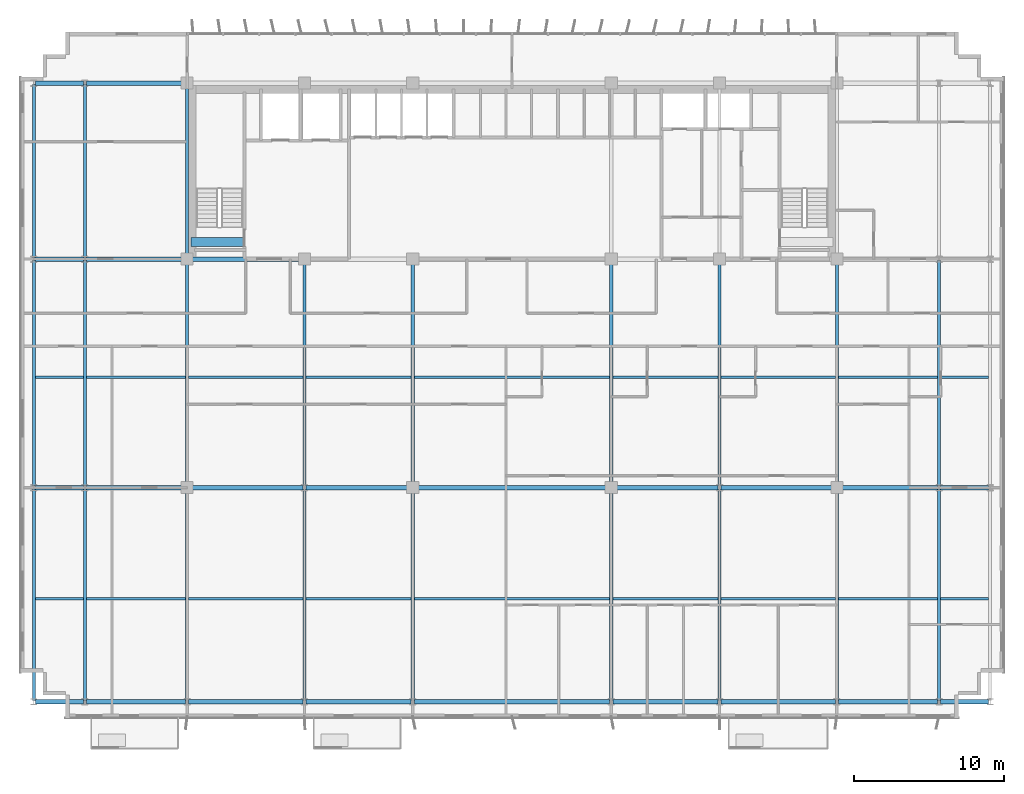
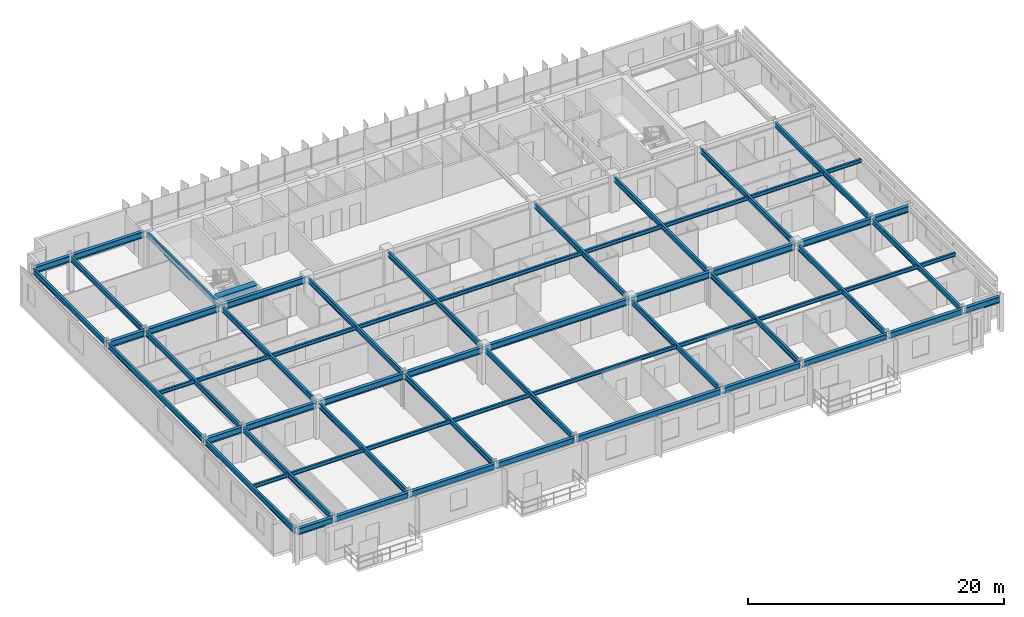
# One storey, part 4 of 22: 63 beams.
"""IFC4 building model written with IfcOpenShell, lengths in metres."""

from ifc_helpers import new_model, si_unit, direction, frame, origin, origin_2d, place, context, subcontext, project, spatial, rectangle, i_section, extrude, source, transform, mapped, material, material_profile, profile_set, type_object, element, save


model = new_model("IFC4")

# Units and contexts
model_context = context("Model", 3, precision=1e-05, world=origin(), true_north=direction((0.0, 1.0)))
body_context = subcontext(model_context, "Body", "Model", "MODEL_VIEW")
ifc_project = project(units=[si_unit("LENGTHUNIT", "METRE"), si_unit("AREAUNIT", "SQUARE_METRE"), si_unit("VOLUMEUNIT", "CUBIC_METRE"), si_unit("PLANEANGLEUNIT", "RADIAN"), si_unit("MASSUNIT", "GRAM", prefix="KILO")], contexts=[model_context])

# Site, building, storey
site_placement = place(None, origin())
site = spatial("IfcSite", under=ifc_project, at=site_placement, CompositionType="ELEMENT")
building_placement = place(site_placement, origin())
building = spatial("IfcBuilding", under=site, at=building_placement, Name="Trelvane Seafront Commons", CompositionType="ELEMENT")
storey_placement = place(building_placement, frame((0.0, 0.0, 85.300048828125)))
storey = spatial("IfcBuildingStorey", under=building, at=storey_placement, Name="L21", CompositionType="ELEMENT", Elevation=85.300048828125)

# Beams
ifc_material_1 = material(Name="Concrete C60/75", Category="concrete")
ifc_material_profile_1 = material_profile(ifc_material_1, rectangle(XDim=0.60009765625, YDim=0.89990234375, at=origin_2d()), Name="RC-600x900")
ifc_profile_set_1 = profile_set([ifc_material_profile_1], Name="Concrete C60/75")
beam_type_1 = type_object("IfcBeamType", Name="STR-LNT-RC600x900", PredefinedType="LINTEL", material=ifc_profile_set_1)
shared_shape_1 = source(origin(), body_context, "Body", "SweptSolid", [
    extrude(rectangle(XDim=0.60009765625, YDim=0.89990234375, at=origin_2d()), origin(), (0.0, 0.0, 1.0), 3.5498046875),
])
beam_1_placement = place(storey_placement, frame((15.85009765625, 34.550048828125, 2.889892578125), z_axis=(1.0, 0.0, 0.0), x_axis=(0.0, 1.0, 0.0)))
element("IfcBeam", 1, at=beam_1_placement, inside=storey, type_object=beam_type_1, Name="L21 Core Coupling Lintel Beam CB-85", PredefinedType="LINTEL", context=body_context, shape_type="MappedRepresentation", body=[
    mapped(shared_shape_1, transform((0.0, 0.0, 0.0), x_axis=(1.0, 0.0, 0.0), y_axis=(0.0, 1.0, 0.0), z_axis=(0.0, 0.0, 1.0), scale=1.0)),
])
ifc_material_2 = material(Name="Steel SM355 (S355)", Category="steel")
ifc_material_profile_2 = material_profile(ifc_material_2, i_section(OverallWidth=0.300048828125, OverallDepth=0.587890625, WebThickness=0.011962890625, FlangeThickness=0.02001953125, at=origin_2d()), Name="H-588x300x12x20")
ifc_profile_set_2 = profile_set([ifc_material_profile_2], Name="Steel SM355 (S355)")
beam_type_2 = type_object("IfcBeamType", Name="STR-BM-H588", PredefinedType="BEAM", material=ifc_profile_set_2)
shared_shape_2 = source(origin(), body_context, "Body", "SweptSolid", [
    extrude(i_section(OverallWidth=0.300048828125, OverallDepth=0.587890625, WebThickness=0.011962890625, FlangeThickness=0.02001953125, at=origin_2d()), origin(), (0.0, 0.0, 1.0), 7.550048828125),
])
beam_2_placement = place(storey_placement, frame((15.75, 18.199951171875, 3.0458984375), z_axis=(1.0, 0.0, 0.0), x_axis=(0.0, 1.0, 0.0)))
element("IfcBeam", 2, at=beam_2_placement, inside=storey, type_object=beam_type_2, Name="L21 Primary Girder G-12", PredefinedType="BEAM", context=body_context, shape_type="MappedRepresentation", body=[
    mapped(shared_shape_2, transform((0.0, 0.0, 0.0), x_axis=(1.0, 0.0, 0.0), y_axis=(0.0, 1.0, 0.0), z_axis=(0.0, 0.0, 1.0), scale=1.0)),
])
shared_shape_3 = source(origin(), body_context, "Body", "SweptSolid", [
    extrude(i_section(OverallWidth=0.300048828125, OverallDepth=0.587890625, WebThickness=0.011962890625, FlangeThickness=0.02001953125, at=origin_2d()), origin(), (0.0, 0.0, 1.0), 3.199951171875),
])
for number, where, z_axis, x_axis, name in (
    (3, (5.5, 3.949951171875, 3.0458984375), (1.0, 0.0, 0.0), (0.0, 1.0, 0.0), "L21 Primary Girder G-01"),
    (4, (65.699951171875, 3.949951171875, 3.0458984375), (1.0, 0.0, 0.0), (0.0, 1.0, 0.0), "L21 Primary Girder G-09"),
    (5, (5.5, 18.199951171875, 3.0458984375), (1.0, 0.0, 0.0), (0.0, 1.0, 0.0), "L21 Primary Girder G-10"),
    (6, (65.699951171875, 18.199951171875, 3.0458984375), (1.0, 0.0, 0.0), (0.0, 1.0, 0.0), "L21 Primary Girder G-18"),
    (7, (5.5, 33.39990234375, 3.0458984375), (1.0, 0.0, 0.0), (0.0, 1.0, 0.0), "L21 Primary Girder G-19"),
    (8, (5.5, 45.10009765625, 3.0458984375), (1.0, 0.0, 0.0), (0.0, 1.0, 0.0), "L21 Primary Girder G-28"),
):
    element("IfcBeam", number, at=place(storey_placement, frame(where, z_axis=z_axis, x_axis=x_axis)), inside=storey, type_object=beam_type_2, Name=name, PredefinedType="BEAM", context=body_context, shape_type="MappedRepresentation", body=[
        mapped(shared_shape_3, transform((0.0, 0.0, 0.0), x_axis=(1.0, 0.0, 0.0), y_axis=(0.0, 1.0, 0.0), z_axis=(0.0, 0.0, 1.0), scale=1.0)),
    ])
shared_shape_4 = source(origin(), body_context, "Body", "SweptSolid", [
    extrude(i_section(OverallWidth=0.300048828125, OverallDepth=0.587890625, WebThickness=0.011962890625, FlangeThickness=0.02001953125, at=origin_2d()), origin(), (0.0, 0.0, 1.0), 6.60009765625),
])
for number, where, z_axis, x_axis, name in (
    (9, (8.89990234375, 3.949951171875, 3.0458984375), (1.0, 0.0, 0.0), (0.0, 1.0, 0.0), "L21 Primary Girder G-02"),
    (10, (58.89990234375, 3.949951171875, 3.0458984375), (1.0, 0.0, 0.0), (0.0, 1.0, 0.0), "L21 Primary Girder G-08"),
):
    element("IfcBeam", number, at=place(storey_placement, frame(where, z_axis=z_axis, x_axis=x_axis)), inside=storey, type_object=beam_type_2, Name=name, PredefinedType="BEAM", context=body_context, shape_type="MappedRepresentation", body=[
        mapped(shared_shape_4, transform((0.0, 0.0, 0.0), x_axis=(1.0, 0.0, 0.0), y_axis=(0.0, 1.0, 0.0), z_axis=(0.0, 0.0, 1.0), scale=1.0)),
    ])
shared_shape_5 = source(origin(), body_context, "Body", "SweptSolid", [
    extrude(i_section(OverallWidth=0.300048828125, OverallDepth=0.587890625, WebThickness=0.011962890625, FlangeThickness=0.02001953125, at=origin_2d()), origin(), (0.0, 0.0, 1.0), 7.60009765625),
])
beam_3_placement = place(storey_placement, frame((15.699951171875, 3.949951171875, 3.0458984375), z_axis=(1.0, 0.0, 0.0), x_axis=(0.0, 1.0, 0.0)))
element("IfcBeam", 11, at=beam_3_placement, inside=storey, type_object=beam_type_2, Name="L21 Primary Girder G-03", PredefinedType="BEAM", context=body_context, shape_type="MappedRepresentation", body=[
    mapped(shared_shape_5, transform((0.0, 0.0, 0.0), x_axis=(1.0, 0.0, 0.0), y_axis=(0.0, 1.0, 0.0), z_axis=(0.0, 0.0, 1.0), scale=1.0)),
])
shared_shape_6 = source(origin(), body_context, "Body", "SweptSolid", [
    extrude(i_section(OverallWidth=0.300048828125, OverallDepth=0.587890625, WebThickness=0.011962890625, FlangeThickness=0.02001953125, at=origin_2d()), origin(), (0.0, 0.0, 1.0), 7.0),
])
for number, where, z_axis, x_axis, name in (
    (12, (23.5, 3.949951171875, 3.0458984375), (1.0, 0.0, 0.0), (0.0, 1.0, 0.0), "L21 Primary Girder G-04"),
    (13, (43.89990234375, 3.949951171875, 3.0458984375), (1.0, 0.0, 0.0), (0.0, 1.0, 0.0), "L21 Primary Girder G-06"),
):
    element("IfcBeam", number, at=place(storey_placement, frame(where, z_axis=z_axis, x_axis=x_axis)), inside=storey, type_object=beam_type_2, Name=name, PredefinedType="BEAM", context=body_context, shape_type="MappedRepresentation", body=[
        mapped(shared_shape_6, transform((0.0, 0.0, 0.0), x_axis=(1.0, 0.0, 0.0), y_axis=(0.0, 1.0, 0.0), z_axis=(0.0, 0.0, 1.0), scale=1.0)),
    ])
shared_shape_7 = source(origin(), body_context, "Body", "SweptSolid", [
    extrude(i_section(OverallWidth=0.300048828125, OverallDepth=0.587890625, WebThickness=0.011962890625, FlangeThickness=0.02001953125, at=origin_2d()), origin(), (0.0, 0.0, 1.0), 13.0),
])
beam_4_placement = place(storey_placement, frame((30.699951171875, 3.949951171875, 3.0458984375), z_axis=(1.0, 0.0, 0.0), x_axis=(0.0, 1.0, 0.0)))
element("IfcBeam", 14, at=beam_4_placement, inside=storey, type_object=beam_type_2, Name="L21 Primary Girder G-05", PredefinedType="BEAM", context=body_context, shape_type="MappedRepresentation", body=[
    mapped(shared_shape_7, transform((0.0, 0.0, 0.0), x_axis=(1.0, 0.0, 0.0), y_axis=(0.0, 1.0, 0.0), z_axis=(0.0, 0.0, 1.0), scale=1.0)),
])
shared_shape_8 = source(origin(), body_context, "Body", "SweptSolid", [
    extrude(i_section(OverallWidth=0.300048828125, OverallDepth=0.587890625, WebThickness=0.011962890625, FlangeThickness=0.02001953125, at=origin_2d()), origin(), (0.0, 0.0, 1.0), 7.599853515625),
])
beam_5_placement = place(storey_placement, frame((51.10009765625, 3.949951171875, 3.0458984375), z_axis=(1.0, 0.0, 0.0), x_axis=(0.0, 1.0, 0.0)))
element("IfcBeam", 15, at=beam_5_placement, inside=storey, type_object=beam_type_2, Name="L21 Primary Girder G-07", PredefinedType="BEAM", context=body_context, shape_type="MappedRepresentation", body=[
    mapped(shared_shape_8, transform((0.0, 0.0, 0.0), x_axis=(1.0, 0.0, 0.0), y_axis=(0.0, 1.0, 0.0), z_axis=(0.0, 0.0, 1.0), scale=1.0)),
])
shared_shape_9 = source(origin(), body_context, "Body", "SweptSolid", [
    extrude(i_section(OverallWidth=0.300048828125, OverallDepth=0.587890625, WebThickness=0.011962890625, FlangeThickness=0.02001953125, at=origin_2d()), origin(), (0.0, 0.0, 1.0), 6.550048828125),
])
for number, where, z_axis, x_axis, name in (
    (16, (8.89990234375, 18.199951171875, 3.0458984375), (1.0, 0.0, 0.0), (0.0, 1.0, 0.0), "L21 Primary Girder G-11"),
    (17, (58.949951171875, 18.199951171875, 3.0458984375), (1.0, 0.0, 0.0), (0.0, 1.0, 0.0), "L21 Primary Girder G-17"),
    (18, (8.89990234375, 33.39990234375, 3.0458984375), (1.0, 0.0, 0.0), (0.0, 1.0, 0.0), "L21 Primary Girder G-20"),
    (19, (8.89990234375, 45.10009765625, 3.0458984375), (1.0, 0.0, 0.0), (0.0, 1.0, 0.0), "L21 Primary Girder G-29"),
):
    element("IfcBeam", number, at=place(storey_placement, frame(where, z_axis=z_axis, x_axis=x_axis)), inside=storey, type_object=beam_type_2, Name=name, PredefinedType="BEAM", context=body_context, shape_type="MappedRepresentation", body=[
        mapped(shared_shape_9, transform((0.0, 0.0, 0.0), x_axis=(1.0, 0.0, 0.0), y_axis=(0.0, 1.0, 0.0), z_axis=(0.0, 0.0, 1.0), scale=1.0)),
    ])
shared_shape_10 = source(origin(), body_context, "Body", "SweptSolid", [
    extrude(i_section(OverallWidth=0.300048828125, OverallDepth=0.587890625, WebThickness=0.011962890625, FlangeThickness=0.02001953125, at=origin_2d()), origin(), (0.0, 0.0, 1.0), 6.949951171875),
])
for number, where, z_axis, x_axis, name in (
    (20, (23.5, 18.199951171875, 3.0458984375), (1.0, 0.0, 0.0), (0.0, 1.0, 0.0), "L21 Primary Girder G-13"),
    (21, (43.949951171875, 18.199951171875, 3.0458984375), (1.0, 0.0, 0.0), (0.0, 1.0, 0.0), "L21 Primary Girder G-15"),
):
    element("IfcBeam", number, at=place(storey_placement, frame(where, z_axis=z_axis, x_axis=x_axis)), inside=storey, type_object=beam_type_2, Name=name, PredefinedType="BEAM", context=body_context, shape_type="MappedRepresentation", body=[
        mapped(shared_shape_10, transform((0.0, 0.0, 0.0), x_axis=(1.0, 0.0, 0.0), y_axis=(0.0, 1.0, 0.0), z_axis=(0.0, 0.0, 1.0), scale=1.0)),
    ])
shared_shape_11 = source(origin(), body_context, "Body", "SweptSolid", [
    extrude(i_section(OverallWidth=0.300048828125, OverallDepth=0.587890625, WebThickness=0.011962890625, FlangeThickness=0.02001953125, at=origin_2d()), origin(), (0.0, 0.0, 1.0), 12.89990234375),
])
beam_6_placement = place(storey_placement, frame((30.75, 18.199951171875, 3.0458984375), z_axis=(1.0, 0.0, 0.0), x_axis=(0.0, 1.0, 0.0)))
element("IfcBeam", 22, at=beam_6_placement, inside=storey, type_object=beam_type_2, Name="L21 Primary Girder G-14", PredefinedType="BEAM", context=body_context, shape_type="MappedRepresentation", body=[
    mapped(shared_shape_11, transform((0.0, 0.0, 0.0), x_axis=(1.0, 0.0, 0.0), y_axis=(0.0, 1.0, 0.0), z_axis=(0.0, 0.0, 1.0), scale=1.0)),
])
shared_shape_12 = source(origin(), body_context, "Body", "SweptSolid", [
    extrude(i_section(OverallWidth=0.300048828125, OverallDepth=0.587890625, WebThickness=0.011962890625, FlangeThickness=0.02001953125, at=origin_2d()), origin(), (0.0, 0.0, 1.0), 7.5498046875),
])
beam_7_placement = place(storey_placement, frame((51.10009765625, 18.199951171875, 3.0458984375), z_axis=(1.0, 0.0, 0.0), x_axis=(0.0, 1.0, 0.0)))
element("IfcBeam", 23, at=beam_7_placement, inside=storey, type_object=beam_type_2, Name="L21 Primary Girder G-16", PredefinedType="BEAM", context=body_context, shape_type="MappedRepresentation", body=[
    mapped(shared_shape_12, transform((0.0, 0.0, 0.0), x_axis=(1.0, 0.0, 0.0), y_axis=(0.0, 1.0, 0.0), z_axis=(0.0, 0.0, 1.0), scale=1.0)),
])
shared_shape_13 = source(origin(), body_context, "Body", "SweptSolid", [
    extrude(i_section(OverallWidth=0.300048828125, OverallDepth=0.587890625, WebThickness=0.011962890625, FlangeThickness=0.02001953125, at=origin_2d()), origin(), (0.0, 0.0, 1.0), 7.5),
])
beam_8_placement = place(storey_placement, frame((15.75, 33.39990234375, 3.0458984375), z_axis=(1.0, 0.0, 0.0), x_axis=(0.0, 1.0, 0.0)))
element("IfcBeam", 24, at=beam_8_placement, inside=storey, type_object=beam_type_2, Name="L21 Primary Girder G-21", PredefinedType="BEAM", context=body_context, shape_type="MappedRepresentation", body=[
    mapped(shared_shape_13, transform((0.0, 0.0, 0.0), x_axis=(1.0, 0.0, 0.0), y_axis=(0.0, 1.0, 0.0), z_axis=(0.0, 0.0, 1.0), scale=1.0)),
])
ifc_material_profile_3 = material_profile(ifc_material_2, i_section(OverallWidth=0.199951171875, OverallDepth=0.5, WebThickness=0.010009765625, FlangeThickness=0.01611328125, at=origin_2d()), Name="H-500x200x10x16")
ifc_profile_set_3 = profile_set([ifc_material_profile_3], Name="Steel SM355 (S355)")
beam_type_3 = type_object("IfcBeamType", Name="STR-BM-H500", PredefinedType="BEAM", material=ifc_profile_set_3)
shared_shape_14 = source(origin(), body_context, "Body", "SweptSolid", [
    extrude(i_section(OverallWidth=0.199951171875, OverallDepth=0.5, WebThickness=0.010009765625, FlangeThickness=0.01611328125, at=origin_2d()), origin(), (0.0, 0.0, 1.0), 14.050048828125),
])
for number, where, z_axis, x_axis, name in (
    (25, (5.39990234375, 4.050048828125, 3.08984375), (0.0, 1.0, 0.0), (-1.0, 0.0, 0.0), "L21 Primary Girder G-37"),
    (26, (8.800048828125, 4.050048828125, 3.08984375), (0.0, 1.0, 0.0), (-1.0, 0.0, 0.0), "L21 Primary Girder G-40"),
    (27, (23.39990234375, 4.050048828125, 3.08984375), (0.0, 1.0, 0.0), (-1.0, 0.0, 0.0), "L21 Primary Girder G-46"),
    (28, (51.0, 4.050048828125, 3.08984375), (0.0, 1.0, 0.0), (-1.0, 0.0, 0.0), "L21 Primary Girder G-55"),
    (29, (65.60009765625, 4.050048828125, 3.08984375), (0.0, 1.0, 0.0), (-1.0, 0.0, 0.0), "L21 Primary Girder G-61"),
):
    element("IfcBeam", number, at=place(storey_placement, frame(where, z_axis=z_axis, x_axis=x_axis)), inside=storey, type_object=beam_type_3, Name=name, PredefinedType="BEAM", context=body_context, shape_type="MappedRepresentation", body=[
        mapped(shared_shape_14, transform((0.0, 0.0, 0.0), x_axis=(1.0, 0.0, 0.0), y_axis=(0.0, 1.0, 0.0), z_axis=(0.0, 0.0, 1.0), scale=1.0)),
    ])
shared_shape_15 = source(origin(), body_context, "Body", "SweptSolid", [
    extrude(i_section(OverallWidth=0.199951171875, OverallDepth=0.5, WebThickness=0.010009765625, FlangeThickness=0.01611328125, at=origin_2d()), origin(), (0.0, 0.0, 1.0), 15.0),
])
for number, where, z_axis, x_axis, name in (
    (30, (5.39990234375, 18.300048828125, 3.08984375), (0.0, 1.0, 0.0), (-1.0, 0.0, 0.0), "L21 Primary Girder G-38"),
    (31, (8.800048828125, 18.300048828125, 3.08984375), (0.0, 1.0, 0.0), (-1.0, 0.0, 0.0), "L21 Primary Girder G-41"),
    (32, (65.60009765625, 18.300048828125, 3.08984375), (0.0, 1.0, 0.0), (-1.0, 0.0, 0.0), "L21 Primary Girder G-62"),
):
    element("IfcBeam", number, at=place(storey_placement, frame(where, z_axis=z_axis, x_axis=x_axis)), inside=storey, type_object=beam_type_3, Name=name, PredefinedType="BEAM", context=body_context, shape_type="MappedRepresentation", body=[
        mapped(shared_shape_15, transform((0.0, 0.0, 0.0), x_axis=(1.0, 0.0, 0.0), y_axis=(0.0, 1.0, 0.0), z_axis=(0.0, 0.0, 1.0), scale=1.0)),
    ])
shared_shape_16 = source(origin(), body_context, "Body", "SweptSolid", [
    extrude(i_section(OverallWidth=0.199951171875, OverallDepth=0.5, WebThickness=0.010009765625, FlangeThickness=0.01611328125, at=origin_2d()), origin(), (0.0, 0.0, 1.0), 11.5),
])
for number, where, z_axis, x_axis, name in (
    (33, (5.39990234375, 33.5, 3.08984375), (0.0, 1.0, 0.0), (-1.0, 0.0, 0.0), "L21 Primary Girder G-39"),
    (34, (8.800048828125, 33.5, 3.08984375), (0.0, 1.0, 0.0), (-1.0, 0.0, 0.0), "L21 Primary Girder G-42"),
):
    element("IfcBeam", number, at=place(storey_placement, frame(where, z_axis=z_axis, x_axis=x_axis)), inside=storey, type_object=beam_type_3, Name=name, PredefinedType="BEAM", context=body_context, shape_type="MappedRepresentation", body=[
        mapped(shared_shape_16, transform((0.0, 0.0, 0.0), x_axis=(1.0, 0.0, 0.0), y_axis=(0.0, 1.0, 0.0), z_axis=(0.0, 0.0, 1.0), scale=1.0)),
    ])
shared_shape_17 = source(origin(), body_context, "Body", "SweptSolid", [
    extrude(i_section(OverallWidth=0.199951171875, OverallDepth=0.5, WebThickness=0.010009765625, FlangeThickness=0.01611328125, at=origin_2d()), origin(), (0.0, 0.0, 1.0), 14.0),
])
for number, where, z_axis, x_axis, name in (
    (35, (15.60009765625, 4.050048828125, 3.08984375), (0.0, 1.0, 0.0), (-1.0, 0.0, 0.0), "L21 Primary Girder G-43"),
    (36, (30.60009765625, 4.050048828125, 3.08984375), (0.0, 1.0, 0.0), (-1.0, 0.0, 0.0), "L21 Primary Girder G-49"),
    (37, (43.800048828125, 4.050048828125, 3.08984375), (0.0, 1.0, 0.0), (-1.0, 0.0, 0.0), "L21 Primary Girder G-52"),
    (38, (58.800048828125, 4.050048828125, 3.08984375), (0.0, 1.0, 0.0), (-1.0, 0.0, 0.0), "L21 Primary Girder G-58"),
):
    element("IfcBeam", number, at=place(storey_placement, frame(where, z_axis=z_axis, x_axis=x_axis)), inside=storey, type_object=beam_type_3, Name=name, PredefinedType="BEAM", context=body_context, shape_type="MappedRepresentation", body=[
        mapped(shared_shape_17, transform((0.0, 0.0, 0.0), x_axis=(1.0, 0.0, 0.0), y_axis=(0.0, 1.0, 0.0), z_axis=(0.0, 0.0, 1.0), scale=1.0)),
    ])
shared_shape_18 = source(origin(), body_context, "Body", "SweptSolid", [
    extrude(i_section(OverallWidth=0.199951171875, OverallDepth=0.5, WebThickness=0.010009765625, FlangeThickness=0.01611328125, at=origin_2d()), origin(), (0.0, 0.0, 1.0), 14.89990234375),
])
for number, where, z_axis, x_axis, name in (
    (39, (15.60009765625, 18.35009765625, 3.08984375), (0.0, 1.0, 0.0), (-1.0, 0.0, 0.0), "L21 Primary Girder G-44"),
    (40, (30.60009765625, 18.35009765625, 3.08984375), (0.0, 1.0, 0.0), (-1.0, 0.0, 0.0), "L21 Primary Girder G-50"),
    (41, (43.800048828125, 18.35009765625, 3.08984375), (0.0, 1.0, 0.0), (-1.0, 0.0, 0.0), "L21 Primary Girder G-53"),
    (42, (58.800048828125, 18.35009765625, 3.08984375), (0.0, 1.0, 0.0), (-1.0, 0.0, 0.0), "L21 Primary Girder G-59"),
):
    element("IfcBeam", number, at=place(storey_placement, frame(where, z_axis=z_axis, x_axis=x_axis)), inside=storey, type_object=beam_type_3, Name=name, PredefinedType="BEAM", context=body_context, shape_type="MappedRepresentation", body=[
        mapped(shared_shape_18, transform((0.0, 0.0, 0.0), x_axis=(1.0, 0.0, 0.0), y_axis=(0.0, 1.0, 0.0), z_axis=(0.0, 0.0, 1.0), scale=1.0)),
    ])
shared_shape_19 = source(origin(), body_context, "Body", "SweptSolid", [
    extrude(i_section(OverallWidth=0.199951171875, OverallDepth=0.5, WebThickness=0.010009765625, FlangeThickness=0.01611328125, at=origin_2d()), origin(), (0.0, 0.0, 1.0), 11.39990234375),
])
beam_9_placement = place(storey_placement, frame((15.60009765625, 33.550048828125, 3.08984375), z_axis=(0.0, 1.0, 0.0), x_axis=(-1.0, 0.0, 0.0)))
element("IfcBeam", 43, at=beam_9_placement, inside=storey, type_object=beam_type_3, Name="L21 Primary Girder G-45", PredefinedType="BEAM", context=body_context, shape_type="MappedRepresentation", body=[
    mapped(shared_shape_19, transform((0.0, 0.0, 0.0), x_axis=(1.0, 0.0, 0.0), y_axis=(0.0, 1.0, 0.0), z_axis=(0.0, 0.0, 1.0), scale=1.0)),
])
shared_shape_20 = source(origin(), body_context, "Body", "SweptSolid", [
    extrude(i_section(OverallWidth=0.199951171875, OverallDepth=0.5, WebThickness=0.010009765625, FlangeThickness=0.01611328125, at=origin_2d()), origin(), (0.0, 0.0, 1.0), 14.949951171875),
])
for number, where, z_axis, x_axis, name in (
    (44, (23.39990234375, 18.300048828125, 3.08984375), (0.0, 1.0, 0.0), (-1.0, 0.0, 0.0), "L21 Primary Girder G-47"),
    (45, (51.0, 18.300048828125, 3.08984375), (0.0, 1.0, 0.0), (-1.0, 0.0, 0.0), "L21 Primary Girder G-56"),
):
    element("IfcBeam", number, at=place(storey_placement, frame(where, z_axis=z_axis, x_axis=x_axis)), inside=storey, type_object=beam_type_3, Name=name, PredefinedType="BEAM", context=body_context, shape_type="MappedRepresentation", body=[
        mapped(shared_shape_20, transform((0.0, 0.0, 0.0), x_axis=(1.0, 0.0, 0.0), y_axis=(0.0, 1.0, 0.0), z_axis=(0.0, 0.0, 1.0), scale=1.0)),
    ])
ifc_material_profile_4 = material_profile(ifc_material_2, i_section(OverallWidth=0.175048828125, OverallDepth=0.35009765625, WebThickness=0.007080078125, FlangeThickness=0.010986328125, at=origin_2d()), Name="H-350x175x7x11")
ifc_profile_set_4 = profile_set([ifc_material_profile_4], Name="Steel SM355 (S355)")
beam_type_4 = type_object("IfcBeamType", Name="STR-JST-H350", PredefinedType="JOIST", material=ifc_profile_set_4)
shared_shape_21 = source(origin(), body_context, "Body", "SweptSolid", [
    extrude(i_section(OverallWidth=0.175048828125, OverallDepth=0.35009765625, WebThickness=0.007080078125, FlangeThickness=0.010986328125, at=origin_2d()), origin(), (0.0, 0.0, 1.0), 3.199951171875),
])
for number, where, z_axis, x_axis, name in (
    (46, (5.5, 10.824951171875, 3.1650390625), (1.0, 0.0, 0.0), (0.0, 1.0, 0.0), "L21 Secondary Floor Joist B-67"),
    (47, (65.699951171875, 10.824951171875, 3.1650390625), (1.0, 0.0, 0.0), (0.0, 1.0, 0.0), "L21 Secondary Floor Joist B-75"),
    (48, (5.5, 25.550048828125, 3.1650390625), (1.0, 0.0, 0.0), (0.0, 1.0, 0.0), "L21 Secondary Floor Joist B-76"),
    (49, (65.699951171875, 25.550048828125, 3.1650390625), (1.0, 0.0, 0.0), (0.0, 1.0, 0.0), "L21 Secondary Floor Joist B-84"),
):
    element("IfcBeam", number, at=place(storey_placement, frame(where, z_axis=z_axis, x_axis=x_axis)), inside=storey, type_object=beam_type_4, Name=name, PredefinedType="JOIST", context=body_context, shape_type="MappedRepresentation", body=[
        mapped(shared_shape_21, transform((0.0, 0.0, 0.0), x_axis=(1.0, 0.0, 0.0), y_axis=(0.0, 1.0, 0.0), z_axis=(0.0, 0.0, 1.0), scale=1.0)),
    ])
shared_shape_22 = source(origin(), body_context, "Body", "SweptSolid", [
    extrude(i_section(OverallWidth=0.175048828125, OverallDepth=0.35009765625, WebThickness=0.007080078125, FlangeThickness=0.010986328125, at=origin_2d()), origin(), (0.0, 0.0, 1.0), 6.60009765625),
])
for number, where, z_axis, x_axis, name in (
    (50, (8.89990234375, 10.824951171875, 3.1650390625), (1.0, 0.0, 0.0), (0.0, 1.0, 0.0), "L21 Secondary Floor Joist B-68"),
    (51, (58.89990234375, 10.824951171875, 3.1650390625), (1.0, 0.0, 0.0), (0.0, 1.0, 0.0), "L21 Secondary Floor Joist B-74"),
    (52, (8.89990234375, 25.550048828125, 3.1650390625), (1.0, 0.0, 0.0), (0.0, 1.0, 0.0), "L21 Secondary Floor Joist B-77"),
    (53, (58.89990234375, 25.550048828125, 3.1650390625), (1.0, 0.0, 0.0), (0.0, 1.0, 0.0), "L21 Secondary Floor Joist B-83"),
):
    element("IfcBeam", number, at=place(storey_placement, frame(where, z_axis=z_axis, x_axis=x_axis)), inside=storey, type_object=beam_type_4, Name=name, PredefinedType="JOIST", context=body_context, shape_type="MappedRepresentation", body=[
        mapped(shared_shape_22, transform((0.0, 0.0, 0.0), x_axis=(1.0, 0.0, 0.0), y_axis=(0.0, 1.0, 0.0), z_axis=(0.0, 0.0, 1.0), scale=1.0)),
    ])
shared_shape_23 = source(origin(), body_context, "Body", "SweptSolid", [
    extrude(i_section(OverallWidth=0.175048828125, OverallDepth=0.35009765625, WebThickness=0.007080078125, FlangeThickness=0.010986328125, at=origin_2d()), origin(), (0.0, 0.0, 1.0), 7.60009765625),
])
for number, where, z_axis, x_axis, name in (
    (54, (15.699951171875, 10.824951171875, 3.1650390625), (1.0, 0.0, 0.0), (0.0, 1.0, 0.0), "L21 Secondary Floor Joist B-69"),
    (55, (15.699951171875, 25.550048828125, 3.1650390625), (1.0, 0.0, 0.0), (0.0, 1.0, 0.0), "L21 Secondary Floor Joist B-78"),
):
    element("IfcBeam", number, at=place(storey_placement, frame(where, z_axis=z_axis, x_axis=x_axis)), inside=storey, type_object=beam_type_4, Name=name, PredefinedType="JOIST", context=body_context, shape_type="MappedRepresentation", body=[
        mapped(shared_shape_23, transform((0.0, 0.0, 0.0), x_axis=(1.0, 0.0, 0.0), y_axis=(0.0, 1.0, 0.0), z_axis=(0.0, 0.0, 1.0), scale=1.0)),
    ])
shared_shape_24 = source(origin(), body_context, "Body", "SweptSolid", [
    extrude(i_section(OverallWidth=0.175048828125, OverallDepth=0.35009765625, WebThickness=0.007080078125, FlangeThickness=0.010986328125, at=origin_2d()), origin(), (0.0, 0.0, 1.0), 7.0),
])
for number, where, z_axis, x_axis, name in (
    (56, (23.5, 10.824951171875, 3.1650390625), (1.0, 0.0, 0.0), (0.0, 1.0, 0.0), "L21 Secondary Floor Joist B-70"),
    (57, (43.89990234375, 10.824951171875, 3.1650390625), (1.0, 0.0, 0.0), (0.0, 1.0, 0.0), "L21 Secondary Floor Joist B-72"),
    (58, (23.5, 25.550048828125, 3.1650390625), (1.0, 0.0, 0.0), (0.0, 1.0, 0.0), "L21 Secondary Floor Joist B-79"),
    (59, (43.89990234375, 25.550048828125, 3.1650390625), (1.0, 0.0, 0.0), (0.0, 1.0, 0.0), "L21 Secondary Floor Joist B-81"),
):
    element("IfcBeam", number, at=place(storey_placement, frame(where, z_axis=z_axis, x_axis=x_axis)), inside=storey, type_object=beam_type_4, Name=name, PredefinedType="JOIST", context=body_context, shape_type="MappedRepresentation", body=[
        mapped(shared_shape_24, transform((0.0, 0.0, 0.0), x_axis=(1.0, 0.0, 0.0), y_axis=(0.0, 1.0, 0.0), z_axis=(0.0, 0.0, 1.0), scale=1.0)),
    ])
shared_shape_25 = source(origin(), body_context, "Body", "SweptSolid", [
    extrude(i_section(OverallWidth=0.175048828125, OverallDepth=0.35009765625, WebThickness=0.007080078125, FlangeThickness=0.010986328125, at=origin_2d()), origin(), (0.0, 0.0, 1.0), 13.0),
])
for number, where, z_axis, x_axis, name in (
    (60, (30.699951171875, 10.824951171875, 3.1650390625), (1.0, 0.0, 0.0), (0.0, 1.0, 0.0), "L21 Secondary Floor Joist B-71"),
    (61, (30.699951171875, 25.550048828125, 3.1650390625), (1.0, 0.0, 0.0), (0.0, 1.0, 0.0), "L21 Secondary Floor Joist B-80"),
):
    element("IfcBeam", number, at=place(storey_placement, frame(where, z_axis=z_axis, x_axis=x_axis)), inside=storey, type_object=beam_type_4, Name=name, PredefinedType="JOIST", context=body_context, shape_type="MappedRepresentation", body=[
        mapped(shared_shape_25, transform((0.0, 0.0, 0.0), x_axis=(1.0, 0.0, 0.0), y_axis=(0.0, 1.0, 0.0), z_axis=(0.0, 0.0, 1.0), scale=1.0)),
    ])
shared_shape_26 = source(origin(), body_context, "Body", "SweptSolid", [
    extrude(i_section(OverallWidth=0.175048828125, OverallDepth=0.35009765625, WebThickness=0.007080078125, FlangeThickness=0.010986328125, at=origin_2d()), origin(), (0.0, 0.0, 1.0), 7.599853515625),
])
for number, where, z_axis, x_axis, name in (
    (62, (51.10009765625, 10.824951171875, 3.1650390625), (1.0, 0.0, 0.0), (0.0, 1.0, 0.0), "L21 Secondary Floor Joist B-73"),
    (63, (51.10009765625, 25.550048828125, 3.1650390625), (1.0, 0.0, 0.0), (0.0, 1.0, 0.0), "L21 Secondary Floor Joist B-82"),
):
    element("IfcBeam", number, at=place(storey_placement, frame(where, z_axis=z_axis, x_axis=x_axis)), inside=storey, type_object=beam_type_4, Name=name, PredefinedType="JOIST", context=body_context, shape_type="MappedRepresentation", body=[
        mapped(shared_shape_26, transform((0.0, 0.0, 0.0), x_axis=(1.0, 0.0, 0.0), y_axis=(0.0, 1.0, 0.0), z_axis=(0.0, 0.0, 1.0), scale=1.0)),
    ])

save(model, "model.ifc")
